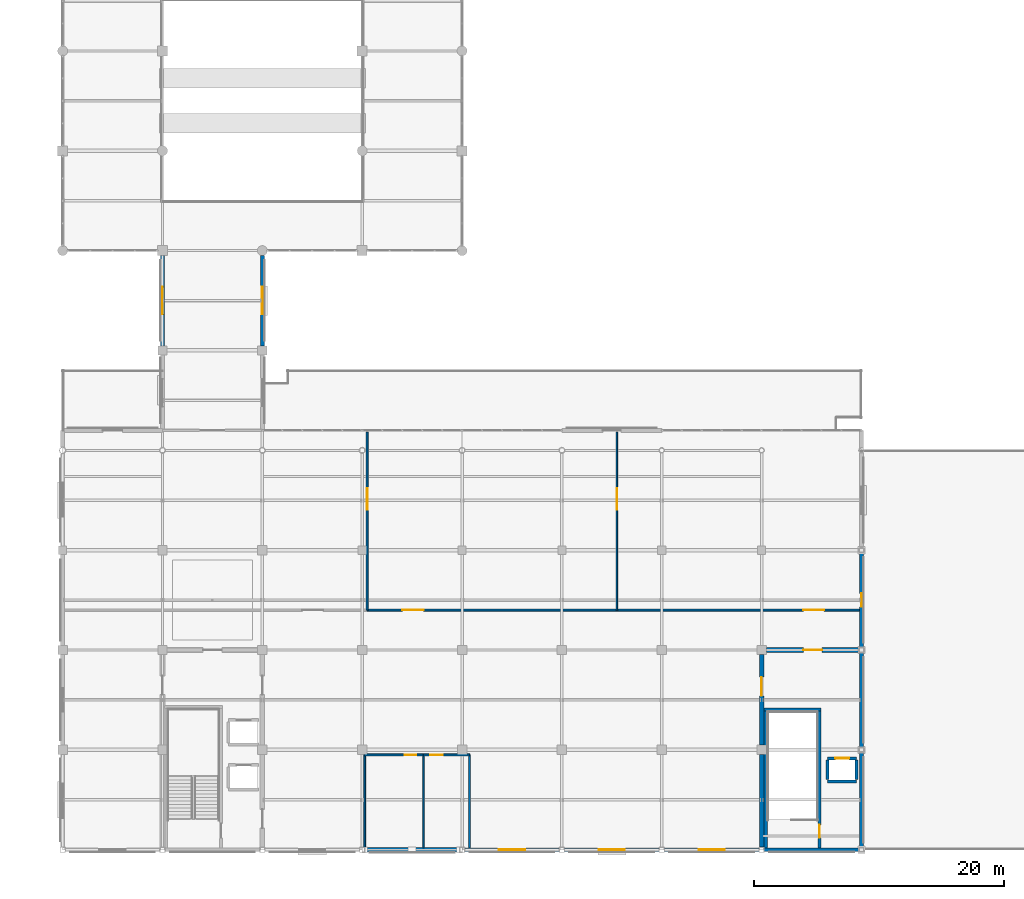
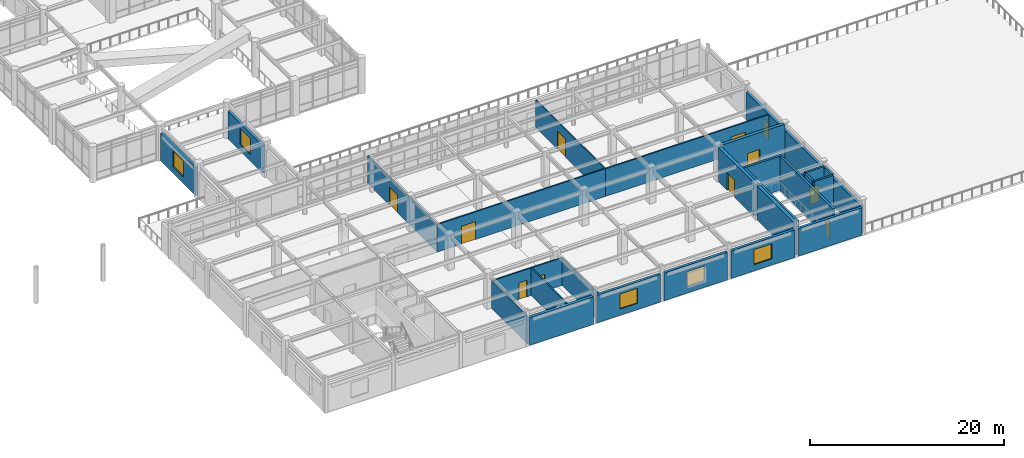
# One storey, part 59 of 93: 29 walls, 11 doors, 5 windows, 16 openings.
"""IFC4 building model written with IfcOpenShell, lengths in metres."""

from ifc_helpers import new_model, si_unit, direction, frame, frame_2d, origin, place, context, subcontext, project, spatial, rectangle, extrude, material, layer, layer_set, type_object, element, fill, save


model = new_model("IFC4")

# Units and contexts
model_context = context("Model", 3, precision=1e-05, world=origin(), true_north=direction((0.0, 1.0)))
body_context = subcontext(model_context, "Body", "Model", "MODEL_VIEW")
ifc_project = project(units=[si_unit("LENGTHUNIT", "METRE"), si_unit("AREAUNIT", "SQUARE_METRE"), si_unit("VOLUMEUNIT", "CUBIC_METRE"), si_unit("PLANEANGLEUNIT", "RADIAN"), si_unit("MASSUNIT", "GRAM", prefix="KILO")], contexts=[model_context])

# Site, building, storey
site_placement = place(None, origin())
site = spatial("IfcSite", under=ifc_project, at=site_placement, CompositionType="ELEMENT")
building_placement = place(site_placement, origin())
building = spatial("IfcBuilding", under=site, at=building_placement, Name="Solmirada Galleria", CompositionType="ELEMENT")
storey_placement = place(building_placement, frame((0.0, 0.0, 14.89990234375)))
storey = spatial("IfcBuildingStorey", under=building, at=storey_placement, Name="L03", CompositionType="ELEMENT", Elevation=14.89990234375)

# Wall, opening, door
ifc_material_1 = material(Name="Concrete C40/50", Category="concrete")
ifc_layer_1 = layer(ifc_material_1, 0.3798828125)
ifc_layer_set_1 = layer_set([ifc_layer_1], Name="Concrete C40/50")
wall_type_1 = type_object("IfcWallType", Name="WL-CORE-380", PredefinedType="SHEAR", material=ifc_layer_set_1)
wall_1_placement = place(storey_placement, frame((136.375, 16.0, 0.0), z_axis=(0.0, 0.0, 1.0), x_axis=(1.0, 0.0, 0.0)))
wall_1 = element("IfcWall", 1, at=wall_1_placement, inside=storey, type_object=wall_type_1, Name="Core C6 shear wall L03 N1", PredefinedType="SHEAR", context=body_context, shape_type="SweptSolid", body=[
    extrude(rectangle(XDim=7.447021484375, YDim=0.3798828125, at=frame_2d((3.7236328125, 0.0))), origin(), (0.0, 0.0, 1.0), 4.280029296875),
])
opening_1_placement = place(wall_1_placement, frame((2.97412109375, 0.0, 0.0)))
opening_1 = element("IfcOpeningElement", 2, at=opening_1_placement, cuts=wall_1, Name="Opening LDY-256", PredefinedType="OPENING", context=body_context, shape_type="SweptSolid", body=[
    extrude(rectangle(XDim=1.5, YDim=2.14990234375, at=frame_2d((0.75, 1.074951171875))), frame((0.0, 0.199951171875, 0.0), z_axis=(0.0, -1.0, 0.0), x_axis=(1.0, 0.0, 0.0)), (0.0, 0.0, 1.0), 0.39990234375),
])
ifc_material_2 = material(Name="Fire-rated painted steel door assembly", Category="steel")
door_type_1 = type_object("IfcDoorType", Name="DR-LOBBY-150X215", OperationType="DOUBLE_DOOR_SINGLE_SWING", PredefinedType="DOOR", material=ifc_material_2)
door_1_placement = place(opening_1_placement, origin())
door_1 = element("IfcDoor", 3, at=door_1_placement, inside=storey, type_object=door_type_1, Name="Core C6 lobby access fire door LDY-256", OperationType="DOUBLE_DOOR_SINGLE_SWING", OverallHeight=2.14990234375, OverallWidth=1.5, PredefinedType="DOOR", context=body_context, shape_type="SweptSolid", body=[
    extrude(rectangle(XDim=1.5, YDim=2.14990234375, at=frame_2d((0.75, 1.074951171875))), frame((0.0, 0.02490234375, 0.0), z_axis=(0.0, -1.0, 0.0), x_axis=(1.0, 0.0, 0.0)), (0.0, 0.0, 1.0), 0.050048828125),
])
fill(opening_1, door_1)

# Wall
wall_2_placement = place(storey_placement, frame((136.0, 0.202880859375, 0.0), z_axis=(0.0, 0.0, 1.0), x_axis=(0.0, 1.0, 0.0)))
element("IfcWall", 4, at=wall_2_placement, inside=storey, type_object=wall_type_1, Name="Core C6 shear wall L03 W1", PredefinedType="SHEAR", context=body_context, shape_type="SweptSolid", body=[
    extrude(rectangle(XDim=7.422119140625, YDim=0.3798828125, at=frame_2d((3.7109375, 0.0))), origin(), (0.0, 0.0, 1.0), 4.280029296875),
])

# Wall, opening, door
wall_3_placement = place(storey_placement, frame((136.0, 8.375, 0.0), z_axis=(0.0, 0.0, 1.0), x_axis=(0.0, 1.0, 0.0)))
wall_3 = element("IfcWall", 5, at=wall_3_placement, inside=storey, type_object=wall_type_1, Name="Core C6 shear wall L03 W2", PredefinedType="SHEAR", context=body_context, shape_type="SweptSolid", body=[
    extrude(rectangle(XDim=7.25, YDim=0.3798828125, at=frame_2d((3.625, 0.0))), origin(), (0.0, 0.0, 1.0), 4.280029296875),
])
opening_2_placement = place(wall_3_placement, frame((3.962890625, 0.0, 0.0)))
opening_2 = element("IfcOpeningElement", 6, at=opening_2_placement, cuts=wall_3, Name="Opening LDY-257", PredefinedType="OPENING", context=body_context, shape_type="SweptSolid", body=[
    extrude(rectangle(XDim=1.5, YDim=2.14990234375, at=frame_2d((0.75, 1.074951171875))), frame((0.0, 0.199951171875, 0.0), z_axis=(0.0, -1.0, 0.0), x_axis=(1.0, 0.0, 0.0)), (0.0, 0.0, 1.0), 0.39990234375),
])
door_2_placement = place(opening_2_placement, origin())
door_2 = element("IfcDoor", 7, at=door_2_placement, inside=storey, type_object=door_type_1, Name="Core C6 lobby access fire door LDY-257", OperationType="DOUBLE_DOOR_SINGLE_SWING", OverallHeight=2.14990234375, OverallWidth=1.5, PredefinedType="DOOR", context=body_context, shape_type="SweptSolid", body=[
    extrude(rectangle(XDim=1.5, YDim=2.14990234375, at=frame_2d((0.75, 1.074951171875))), frame((0.0, 0.02490234375, 0.0), z_axis=(0.0, -1.0, 0.0), x_axis=(1.0, 0.0, 0.0)), (0.0, 0.0, 1.0), 0.050048828125),
])
fill(opening_2, door_2)

# Wall, opening, window
ifc_material_3 = material(Name="Precast concrete C40/50", Category="concrete")
ifc_layer_2 = layer(ifc_material_3, 0.31005859375)
ifc_layer_set_2 = layer_set([ifc_layer_2], Name="Precast concrete C40/50")
wall_type_2 = type_object("IfcWallType", Name="WL-EXT-310", PredefinedType="STANDARD", material=ifc_layer_set_2)
wall_4_placement = place(storey_placement, frame((88.0, 40.375, 0.0), z_axis=(0.0, 0.0, 1.0), x_axis=(0.0, 1.0, 0.0)))
wall_4 = element("IfcWall", 8, at=wall_4_placement, inside=storey, type_object=wall_type_2, Name="Exterior wall L03 bay 002", PredefinedType="STANDARD", context=body_context, shape_type="SweptSolid", body=[
    extrude(rectangle(XDim=7.22509765625, YDim=0.31005859375, at=frame_2d((3.612548828125, 0.0))), origin(), (0.0, 0.0, 1.0), 3.47998046875),
])
opening_3_placement = place(wall_4_placement, frame((2.512939453125, 0.0, 0.800048828125)))
opening_3 = element("IfcOpeningElement", 9, at=opening_3_placement, cuts=wall_4, Name="Opening WN3", PredefinedType="OPENING", context=body_context, shape_type="SweptSolid", body=[
    extrude(rectangle(XDim=2.199951171875, YDim=2.050048828125, at=frame_2d((1.10009765625, 1.02490234375))), frame((0.0, 0.1650390625, 0.0), z_axis=(0.0, -1.0, 0.0), x_axis=(1.0, 0.0, 0.0)), (0.0, 0.0, 1.0), 0.330078125),
])
ifc_material_4 = material(Name="Impact-resistant low-E double glazing", Category="glass")
window_type_1 = type_object("IfcWindowType", Name="WIN-AVE-220X205", PartitioningType="DOUBLE_PANEL_VERTICAL", PredefinedType="WINDOW", material=ifc_material_4)
window_1_placement = place(opening_3_placement, origin())
window_1 = element("IfcWindow", 10, at=window_1_placement, inside=storey, type_object=window_type_1, Name="Window L03-069", OverallHeight=2.050048828125, OverallWidth=2.199951171875, PartitioningType="DOUBLE_PANEL_VERTICAL", PredefinedType="WINDOW", context=body_context, shape_type="SweptSolid", body=[
    extrude(rectangle(XDim=2.199951171875, YDim=2.050048828125, at=frame_2d((1.10009765625, 1.02490234375))), frame((0.0, 0.030029296875, 0.0), z_axis=(0.0, -1.0, 0.0), x_axis=(1.0, 0.0, 0.0)), (0.0, 0.0, 1.0), 0.06005859375),
])
fill(opening_3, window_1)

wall_5_placement = place(storey_placement, frame((96.0, 47.60009765625, 0.0), z_axis=(0.0, 0.0, 1.0), x_axis=(0.0, -1.0, 0.0)))
wall_5 = element("IfcWall", 11, at=wall_5_placement, inside=storey, type_object=wall_type_2, Name="Exterior wall L03 bay 046", PredefinedType="STANDARD", context=body_context, shape_type="SweptSolid", body=[
    extrude(rectangle(XDim=7.22509765625, YDim=0.31005859375, at=frame_2d((3.612548828125, 0.0))), origin(), (0.0, 0.0, 1.0), 3.47998046875),
])
opening_4_placement = place(wall_5_placement, frame((2.512939453125, 0.0, 0.800048828125)))
opening_4 = element("IfcOpeningElement", 12, at=opening_4_placement, cuts=wall_5, Name="Opening WN3", PredefinedType="OPENING", context=body_context, shape_type="SweptSolid", body=[
    extrude(rectangle(XDim=2.199951171875, YDim=2.050048828125, at=frame_2d((1.10009765625, 1.02490234375))), frame((0.0, 0.1650390625, 0.0), z_axis=(0.0, -1.0, 0.0), x_axis=(1.0, 0.0, 0.0)), (0.0, 0.0, 1.0), 0.330078125),
])
window_2_placement = place(opening_4_placement, origin())
window_2 = element("IfcWindow", 13, at=window_2_placement, inside=storey, type_object=window_type_1, Name="Window L03-086", OverallHeight=2.050048828125, OverallWidth=2.199951171875, PartitioningType="DOUBLE_PANEL_VERTICAL", PredefinedType="WINDOW", context=body_context, shape_type="SweptSolid", body=[
    extrude(rectangle(XDim=2.199951171875, YDim=2.050048828125, at=frame_2d((1.10009765625, 1.02490234375))), frame((0.0, 0.030029296875, 0.0), z_axis=(0.0, -1.0, 0.0), x_axis=(1.0, 0.0, 0.0)), (0.0, 0.0, 1.0), 0.06005859375),
])
fill(opening_4, window_2)

# Wall, opening, door
wall_6_placement = place(storey_placement, frame((144.0, 23.822021484375, 0.0), z_axis=(0.0, 0.0, 1.0), x_axis=(0.0, -1.0, 0.0)))
wall_6 = element("IfcWall", 14, at=wall_6_placement, inside=storey, type_object=wall_type_2, Name="Exterior wall L03 bay 056", PredefinedType="STANDARD", context=body_context, shape_type="SweptSolid", body=[
    extrude(rectangle(XDim=7.64404296875, YDim=0.31005859375, at=frame_2d((3.822021484375, 0.0))), origin(), (0.0, 0.0, 1.0), 3.47998046875),
])
opening_5_placement = place(wall_6_placement, frame((3.27197265625, 0.0, 0.0)))
opening_5 = element("IfcOpeningElement", 15, at=opening_5_placement, cuts=wall_6, Name="Opening TD-068", PredefinedType="OPENING", context=body_context, shape_type="SweptSolid", body=[
    extrude(rectangle(XDim=1.10009765625, YDim=2.14990234375, at=frame_2d((0.550048828125, 1.074951171875))), frame((0.0, 0.1650390625, 0.0), z_axis=(0.0, -1.0, 0.0), x_axis=(1.0, 0.0, 0.0)), (0.0, 0.0, 1.0), 0.330078125),
])
ifc_material_5 = material(Name="Thermally broken aluminium and laminated glass door", Category="aluminium")
door_type_2 = type_object("IfcDoorType", Name="DR-TERR-110X215", OperationType="NOTDEFINED", PredefinedType="DOOR", material=ifc_material_5)
door_3_placement = place(opening_5_placement, origin())
door_3 = element("IfcDoor", 16, at=door_3_placement, inside=storey, type_object=door_type_2, Name="Planted terrace access door TD-068", OperationType="SINGLE_SWING_RIGHT", OverallHeight=2.14990234375, OverallWidth=1.10009765625, PredefinedType="DOOR", context=body_context, shape_type="SweptSolid", body=[
    extrude(rectangle(XDim=1.10009765625, YDim=2.14990234375, at=frame_2d((0.550048828125, 1.074951171875))), frame((0.0, 0.02490234375, 0.0), z_axis=(0.0, -1.0, 0.0), x_axis=(1.0, 0.0, 0.0)), (0.0, 0.0, 1.0), 0.050048828125),
])
fill(opening_5, door_3)

# Walls
for number, where, z_axis, x_axis, name in (
    (17, (144.0, 15.822021484375, 0.0), (0.0, 0.0, 1.0), (0.0, -1.0, 0.0), "Exterior wall L03 bay 057"),
    (18, (144.0, 7.822021484375, 0.0), (0.0, 0.0, 1.0), (0.0, -1.0, 0.0), "Exterior wall L03 bay 058"),
):
    element("IfcWall", number, at=place(storey_placement, frame(where, z_axis=z_axis, x_axis=x_axis)), inside=storey, type_object=wall_type_2, Name=name, PredefinedType="STANDARD", context=body_context, shape_type="SweptSolid", body=[
        extrude(rectangle(XDim=7.64404296875, YDim=0.31005859375, at=frame_2d((3.822021484375, 0.0))), origin(), (0.0, 0.0, 1.0), 3.47998046875),
    ])
wall_7_placement = place(storey_placement, frame((143.822021484375, 0.0, 0.0), z_axis=(0.0, 0.0, 1.0), x_axis=(-1.0, 0.0, 0.0)))
element("IfcWall", 19, at=wall_7_placement, inside=storey, type_object=wall_type_2, Name="Exterior wall L03 bay 059", PredefinedType="STANDARD", context=body_context, shape_type="SweptSolid", body=[
    extrude(rectangle(XDim=7.619140625, YDim=0.31005859375, at=frame_2d((3.8095703125, 0.0))), origin(), (0.0, 0.0, 1.0), 3.47998046875),
])

# Wall, opening, window
wall_8_placement = place(storey_placement, frame((135.797119140625, 0.0, 0.0), z_axis=(0.0, 0.0, 1.0), x_axis=(-1.0, 0.0, 0.0)))
wall_8 = element("IfcWall", 20, at=wall_8_placement, inside=storey, type_object=wall_type_2, Name="Exterior wall L03 bay 060", PredefinedType="STANDARD", context=body_context, shape_type="SweptSolid", body=[
    extrude(rectangle(XDim=7.59423828125, YDim=0.31005859375, at=frame_2d((3.797119140625, 0.0))), origin(), (0.0, 0.0, 1.0), 3.47998046875),
])
opening_6_placement = place(wall_8_placement, frame((2.7470703125, 0.0, 0.800048828125)))
opening_6 = element("IfcOpeningElement", 21, at=opening_6_placement, cuts=wall_8, Name="Opening WN29", PredefinedType="OPENING", context=body_context, shape_type="SweptSolid", body=[
    extrude(rectangle(XDim=2.10009765625, YDim=1.89990234375, at=frame_2d((1.050048828125, 0.949951171875))), frame((0.0, 0.1650390625, 0.0), z_axis=(0.0, -1.0, 0.0), x_axis=(1.0, 0.0, 0.0)), (0.0, 0.0, 1.0), 0.330078125),
])
window_type_2 = type_object("IfcWindowType", Name="WIN-ATEL-210X190", PartitioningType="DOUBLE_PANEL_VERTICAL", PredefinedType="WINDOW", material=ifc_material_4)
window_3_placement = place(opening_6_placement, origin())
window_3 = element("IfcWindow", 22, at=window_3_placement, inside=storey, type_object=window_type_2, Name="Window L03-089", OverallHeight=1.89990234375, OverallWidth=2.10009765625, PartitioningType="DOUBLE_PANEL_VERTICAL", PredefinedType="WINDOW", context=body_context, shape_type="SweptSolid", body=[
    extrude(rectangle(XDim=2.10009765625, YDim=1.89990234375, at=frame_2d((1.050048828125, 0.949951171875))), frame((0.0, 0.030029296875, 0.0), z_axis=(0.0, -1.0, 0.0), x_axis=(1.0, 0.0, 0.0)), (0.0, 0.0, 1.0), 0.06005859375),
])
fill(opening_6, window_3)

wall_9_placement = place(storey_placement, frame((127.797119140625, 0.0, 0.0), z_axis=(0.0, 0.0, 1.0), x_axis=(-1.0, 0.0, 0.0)))
wall_9 = element("IfcWall", 23, at=wall_9_placement, inside=storey, type_object=wall_type_2, Name="Exterior wall L03 bay 061", PredefinedType="STANDARD", context=body_context, shape_type="SweptSolid", body=[
    extrude(rectangle(XDim=7.59423828125, YDim=0.31005859375, at=frame_2d((3.797119140625, 0.0))), origin(), (0.0, 0.0, 1.0), 3.47998046875),
])
opening_7_placement = place(wall_9_placement, frame((2.7470703125, 0.0, 0.800048828125)))
opening_7 = element("IfcOpeningElement", 24, at=opening_7_placement, cuts=wall_9, Name="Opening WN29", PredefinedType="OPENING", context=body_context, shape_type="SweptSolid", body=[
    extrude(rectangle(XDim=2.10009765625, YDim=1.89990234375, at=frame_2d((1.050048828125, 0.949951171875))), frame((0.0, 0.1650390625, 0.0), z_axis=(0.0, -1.0, 0.0), x_axis=(1.0, 0.0, 0.0)), (0.0, 0.0, 1.0), 0.330078125),
])
window_4_placement = place(opening_7_placement, origin())
window_4 = element("IfcWindow", 25, at=window_4_placement, inside=storey, type_object=window_type_2, Name="Window L03-090", OverallHeight=1.89990234375, OverallWidth=2.10009765625, PartitioningType="DOUBLE_PANEL_VERTICAL", PredefinedType="WINDOW", context=body_context, shape_type="SweptSolid", body=[
    extrude(rectangle(XDim=2.10009765625, YDim=1.89990234375, at=frame_2d((1.050048828125, 0.949951171875))), frame((0.0, 0.030029296875, 0.0), z_axis=(0.0, -1.0, 0.0), x_axis=(1.0, 0.0, 0.0)), (0.0, 0.0, 1.0), 0.06005859375),
])
fill(opening_7, window_4)

wall_10_placement = place(storey_placement, frame((119.797119140625, 0.0, 0.0), z_axis=(0.0, 0.0, 1.0), x_axis=(-1.0, 0.0, 0.0)))
wall_10 = element("IfcWall", 26, at=wall_10_placement, inside=storey, type_object=wall_type_2, Name="Exterior wall L03 bay 062", PredefinedType="STANDARD", context=body_context, shape_type="SweptSolid", body=[
    extrude(rectangle(XDim=7.59423828125, YDim=0.31005859375, at=frame_2d((3.797119140625, 0.0))), origin(), (0.0, 0.0, 1.0), 3.47998046875),
])
opening_8_placement = place(wall_10_placement, frame((2.7470703125, 0.0, 0.800048828125)))
opening_8 = element("IfcOpeningElement", 27, at=opening_8_placement, cuts=wall_10, Name="Opening WN29", PredefinedType="OPENING", context=body_context, shape_type="SweptSolid", body=[
    extrude(rectangle(XDim=2.10009765625, YDim=1.89990234375, at=frame_2d((1.050048828125, 0.949951171875))), frame((0.0, 0.1650390625, 0.0), z_axis=(0.0, -1.0, 0.0), x_axis=(1.0, 0.0, 0.0)), (0.0, 0.0, 1.0), 0.330078125),
])
window_5_placement = place(opening_8_placement, origin())
window_5 = element("IfcWindow", 28, at=window_5_placement, inside=storey, type_object=window_type_2, Name="Window L03-091", OverallHeight=1.89990234375, OverallWidth=2.10009765625, PartitioningType="DOUBLE_PANEL_VERTICAL", PredefinedType="WINDOW", context=body_context, shape_type="SweptSolid", body=[
    extrude(rectangle(XDim=2.10009765625, YDim=1.89990234375, at=frame_2d((1.050048828125, 0.949951171875))), frame((0.0, 0.030029296875, 0.0), z_axis=(0.0, -1.0, 0.0), x_axis=(1.0, 0.0, 0.0)), (0.0, 0.0, 1.0), 0.06005859375),
])
fill(opening_8, window_5)

# Wall, opening, door
ifc_layer_3 = layer(ifc_material_1, 0.239990234375)
ifc_layer_set_3 = layer_set([ifc_layer_3], Name="Concrete C40/50")
wall_type_3 = type_object("IfcWallType", Name="WL-HOIST-240", PredefinedType="PARTITIONING", material=ifc_layer_set_3)
wall_11_placement = place(storey_placement, frame((141.294921875, 7.330078125, 0.0), z_axis=(0.0, 0.0, 1.0), x_axis=(1.0, 0.0, 0.0)))
wall_11 = element("IfcWall", 29, at=wall_11_placement, inside=storey, type_object=wall_type_3, Name="Lift LP6 hoistway front wall L03", PredefinedType="PARTITIONING", context=body_context, shape_type="SweptSolid", body=[
    extrude(rectangle(XDim=2.31005859375, YDim=0.239990234375, at=frame_2d((1.155029296875, 0.0))), origin(), (0.0, 0.0, 1.0), 4.280029296875),
])
opening_9_placement = place(wall_11_placement, frame((0.60498046875, 0.0, 0.0)))
opening_9 = element("IfcOpeningElement", 30, at=opening_9_placement, cuts=wall_11, Name="Opening LD-LP6-L03", PredefinedType="OPENING", context=body_context, shape_type="SweptSolid", body=[
    extrude(rectangle(XDim=1.10009765625, YDim=2.14990234375, at=frame_2d((0.550048828125, 1.074951171875))), frame((0.0, 0.1298828125, 0.0), z_axis=(0.0, -1.0, 0.0), x_axis=(1.0, 0.0, 0.0)), (0.0, 0.0, 1.0), 0.260009765625),
])
ifc_material_6 = material(Name="Brushed stainless-steel sliding landing door", Category="steel")
door_type_3 = type_object("IfcDoorType", Name="DR-LIFT-110X215", OperationType="SLIDING_TO_LEFT", PredefinedType="DOOR", material=ifc_material_6)
door_4_placement = place(opening_9_placement, origin())
door_4 = element("IfcDoor", 31, at=door_4_placement, inside=storey, type_object=door_type_3, Name="Lift LP6 sliding landing door L03", OperationType="SLIDING_TO_LEFT", OverallHeight=2.14990234375, OverallWidth=1.10009765625, PredefinedType="DOOR", context=body_context, shape_type="SweptSolid", body=[
    extrude(rectangle(XDim=1.10009765625, YDim=2.14990234375, at=frame_2d((0.550048828125, 1.074951171875))), frame((0.0, 0.02490234375, 0.0), z_axis=(0.0, -1.0, 0.0), x_axis=(1.0, 0.0, 0.0)), (0.0, 0.0, 1.0), 0.050048828125),
])
fill(opening_9, door_4)

# Walls
wall_12_placement = place(storey_placement, frame((141.294921875, 5.469970703125, 0.0), z_axis=(0.0, 0.0, 1.0), x_axis=(1.0, 0.0, 0.0)))
element("IfcWall", 32, at=wall_12_placement, inside=storey, type_object=wall_type_3, Name="Lift LP6 hoistway rear wall L03", PredefinedType="PARTITIONING", context=body_context, shape_type="SweptSolid", body=[
    extrude(rectangle(XDim=2.31005859375, YDim=0.239990234375, at=frame_2d((1.155029296875, 0.0))), origin(), (0.0, 0.0, 1.0), 4.280029296875),
])
for number, where, z_axis, x_axis, name in (
    (33, (141.294921875, 5.610107421875, 0.0), (0.0, 0.0, 1.0), (0.0, 1.0, 0.0), "Lift LP6 hoistway side wall L L03"),
    (34, (143.60498046875, 5.610107421875, 0.0), (0.0, 0.0, 1.0), (0.0, 1.0, 0.0), "Lift LP6 hoistway side wall R L03"),
):
    element("IfcWall", number, at=place(storey_placement, frame(where, z_axis=z_axis, x_axis=x_axis)), inside=storey, type_object=wall_type_3, Name=name, PredefinedType="PARTITIONING", context=body_context, shape_type="SweptSolid", body=[
        extrude(rectangle(XDim=1.579833984375, YDim=0.239990234375, at=frame_2d((0.7900390625, 0.0))), origin(), (0.0, 0.0, 1.0), 4.280029296875),
    ])
ifc_material_7 = material(Name="Acoustic gypsum board partition")
ifc_layer_4 = layer(ifc_material_7, 0.135009765625)
ifc_layer_set_4 = layer_set([ifc_layer_4], Name="Acoustic gypsum board partition")
wall_type_4 = type_object("IfcWallType", Name="WL-PART-135", PredefinedType="PARTITIONING", material=ifc_layer_set_4)
for number, where, z_axis, x_axis, name in (
    (35, (104.199951171875, 0.14990234375, 0.0), (0.0, 0.0, 1.0), (0.0, 1.0, 0.0), "Partition L03-105 (South WC West)"),
    (36, (108.89990234375, 0.14990234375, 0.0), (0.0, 0.0, 1.0), (0.0, 1.0, 0.0), "Partition L03-106 (South WC Divider)"),
    (37, (112.60009765625, 0.14990234375, 0.0), (0.0, 0.0, 1.0), (0.0, 1.0, 0.0), "Partition L03-107 (South WC East)"),
):
    element("IfcWall", number, at=place(storey_placement, frame(where, z_axis=z_axis, x_axis=x_axis)), inside=storey, type_object=wall_type_4, Name=name, PredefinedType="PARTITIONING", context=body_context, shape_type="SweptSolid", body=[
        extrude(rectangle(XDim=7.4501953125, YDim=0.135009765625, at=frame_2d((3.72509765625, 0.0))), origin(), (0.0, 0.0, 1.0), 3.47998046875),
    ])

# Wall, opening, door
wall_13_placement = place(storey_placement, frame((124.39990234375, 19.199951171875, 0.0), z_axis=(0.0, 0.0, 1.0), x_axis=(0.0, 1.0, 0.0)))
wall_13 = element("IfcWall", 38, at=wall_13_placement, inside=storey, type_object=wall_type_4, Name="Partition L03-112 (South Department E L03)", PredefinedType="PARTITIONING", context=body_context, shape_type="SweptSolid", body=[
    extrude(rectangle(XDim=14.25, YDim=0.135009765625, at=frame_2d((7.125, 0.0))), origin(), (0.0, 0.0, 1.0), 3.47998046875),
])
opening_10_placement = place(wall_13_placement, frame((8.052978515625, 0.0, 0.0)))
opening_10 = element("IfcOpeningElement", 39, at=opening_10_placement, cuts=wall_13, Name="Opening ID-339", PredefinedType="OPENING", context=body_context, shape_type="SweptSolid", body=[
    extrude(rectangle(XDim=1.699951171875, YDim=2.25, at=frame_2d((0.85009765625, 1.125))), frame((0.0, 0.077392578125, 0.0), z_axis=(0.0, -1.0, 0.0), x_axis=(1.0, 0.0, 0.0)), (0.0, 0.0, 1.0), 0.155029296875),
])
ifc_material_8 = material(Name="Architectural hardwood veneer door", Category="wood")
door_type_4 = type_object("IfcDoorType", Name="DR-DEPT-170X225", OperationType="DOUBLE_DOOR_SINGLE_SWING", PredefinedType="DOOR", material=ifc_material_8)
door_5_placement = place(opening_10_placement, origin())
door_5 = element("IfcDoor", 40, at=door_5_placement, inside=storey, type_object=door_type_4, Name="South Department E L03 door ID-339", OperationType="DOUBLE_DOOR_SINGLE_SWING", OverallHeight=2.25, OverallWidth=1.699951171875, PredefinedType="DOOR", context=body_context, shape_type="SweptSolid", body=[
    extrude(rectangle(XDim=1.699951171875, YDim=2.25, at=frame_2d((0.85009765625, 1.125))), frame((0.0, 0.02490234375, 0.0), z_axis=(0.0, -1.0, 0.0), x_axis=(1.0, 0.0, 0.0)), (0.0, 0.0, 1.0), 0.050048828125),
])
fill(opening_10, door_5)

ifc_layer_5 = layer(ifc_material_7, 0.159912109375)
ifc_layer_set_5 = layer_set([ifc_layer_5], Name="Acoustic gypsum board partition")
wall_type_5 = type_object("IfcWallType", Name="WL-PART-160", PredefinedType="PARTITIONING", material=ifc_layer_set_5)
wall_14_placement = place(storey_placement, frame((104.199951171875, 7.60009765625, 0.0), z_axis=(0.0, 0.0, 1.0), x_axis=(1.0, 0.0, 0.0)))
wall_14 = element("IfcWall", 41, at=wall_14_placement, inside=storey, type_object=wall_type_5, Name="Partition L03-103 (South Restroom)", PredefinedType="PARTITIONING", context=body_context, shape_type="SweptSolid", body=[
    extrude(rectangle(XDim=4.699951171875, YDim=0.159912109375, at=frame_2d((2.35009765625, 0.0))), origin(), (0.0, 0.0, 1.0), 3.47998046875),
])
opening_11_placement = place(wall_14_placement, frame((3.193115234375, 0.0, 0.0)))
opening_11 = element("IfcOpeningElement", 42, at=opening_11_placement, cuts=wall_14, Name="Opening ID-333", PredefinedType="OPENING", context=body_context, shape_type="SweptSolid", body=[
    extrude(rectangle(XDim=0.919921875, YDim=2.10009765625, at=frame_2d((0.4599609375, 1.050048828125))), frame((0.0, 0.08984375, 0.0), z_axis=(0.0, -1.0, 0.0), x_axis=(1.0, 0.0, 0.0)), (0.0, 0.0, 1.0), 0.179931640625),
])
door_type_5 = type_object("IfcDoorType", Name="DR-WC-092X210", OperationType="NOTDEFINED", PredefinedType="DOOR", material=ifc_material_8)
door_6_placement = place(opening_11_placement, origin())
door_6 = element("IfcDoor", 43, at=door_6_placement, inside=storey, type_object=door_type_5, Name="South Restroom door ID-333", OperationType="SINGLE_SWING_LEFT", OverallHeight=2.10009765625, OverallWidth=0.919921875, PredefinedType="DOOR", context=body_context, shape_type="SweptSolid", body=[
    extrude(rectangle(XDim=0.919921875, YDim=2.10009765625, at=frame_2d((0.4599609375, 1.050048828125))), frame((0.0, 0.02490234375, 0.0), z_axis=(0.0, -1.0, 0.0), x_axis=(1.0, 0.0, 0.0)), (0.0, 0.0, 1.0), 0.050048828125),
])
fill(opening_11, door_6)

wall_15_placement = place(storey_placement, frame((108.89990234375, 7.60009765625, 0.0), z_axis=(0.0, 0.0, 1.0), x_axis=(1.0, 0.0, 0.0)))
wall_15 = element("IfcWall", 44, at=wall_15_placement, inside=storey, type_object=wall_type_5, Name="Partition L03-104 (South Accessible WC)", PredefinedType="PARTITIONING", context=body_context, shape_type="SweptSolid", body=[
    extrude(rectangle(XDim=3.7001953125, YDim=0.159912109375, at=frame_2d((1.85009765625, 0.0))), origin(), (0.0, 0.0, 1.0), 3.47998046875),
])
opening_12_placement = place(wall_15_placement, frame((0.548095703125, 0.0, 0.0)))
opening_12 = element("IfcOpeningElement", 45, at=opening_12_placement, cuts=wall_15, Name="Opening ID-334", PredefinedType="OPENING", context=body_context, shape_type="SweptSolid", body=[
    extrude(rectangle(XDim=1.02001953125, YDim=2.10009765625, at=frame_2d((0.510009765625, 1.050048828125))), frame((0.0, 0.08984375, 0.0), z_axis=(0.0, -1.0, 0.0), x_axis=(1.0, 0.0, 0.0)), (0.0, 0.0, 1.0), 0.179931640625),
])
door_type_6 = type_object("IfcDoorType", Name="DR-AWC-102X210", OperationType="NOTDEFINED", PredefinedType="DOOR", material=ifc_material_8)
door_7_placement = place(opening_12_placement, origin())
door_7 = element("IfcDoor", 46, at=door_7_placement, inside=storey, type_object=door_type_6, Name="South Accessible WC door ID-334", OperationType="SINGLE_SWING_RIGHT", OverallHeight=2.10009765625, OverallWidth=1.02001953125, PredefinedType="DOOR", context=body_context, shape_type="SweptSolid", body=[
    extrude(rectangle(XDim=1.02001953125, YDim=2.10009765625, at=frame_2d((0.510009765625, 1.050048828125))), frame((0.0, 0.02490234375, 0.0), z_axis=(0.0, -1.0, 0.0), x_axis=(1.0, 0.0, 0.0)), (0.0, 0.0, 1.0), 0.050048828125),
])
fill(opening_12, door_7)

wall_16_placement = place(storey_placement, frame((104.39990234375, 19.199951171875, 0.0), z_axis=(0.0, 0.0, 1.0), x_axis=(1.0, 0.0, 0.0)))
wall_16 = element("IfcWall", 47, at=wall_16_placement, inside=storey, type_object=wall_type_5, Name="Partition L03-109 (South Gallery C L03)", PredefinedType="PARTITIONING", context=body_context, shape_type="SweptSolid", body=[
    extrude(rectangle(XDim=20.0, YDim=0.159912109375, at=frame_2d((10.0, 0.0))), origin(), (0.0, 0.0, 1.0), 3.47998046875),
])
opening_13_placement = place(wall_16_placement, frame((2.820068359375, 0.0, 0.0)))
opening_13 = element("IfcOpeningElement", 48, at=opening_13_placement, cuts=wall_16, Name="Opening ID-336", PredefinedType="OPENING", context=body_context, shape_type="SweptSolid", body=[
    extrude(rectangle(XDim=1.699951171875, YDim=2.25, at=frame_2d((0.85009765625, 1.125))), frame((0.0, 0.08984375, 0.0), z_axis=(0.0, -1.0, 0.0), x_axis=(1.0, 0.0, 0.0)), (0.0, 0.0, 1.0), 0.179931640625),
])
door_8_placement = place(opening_13_placement, origin())
door_8 = element("IfcDoor", 49, at=door_8_placement, inside=storey, type_object=door_type_4, Name="South Gallery C L03 door ID-336", OperationType="DOUBLE_DOOR_SINGLE_SWING", OverallHeight=2.25, OverallWidth=1.699951171875, PredefinedType="DOOR", context=body_context, shape_type="SweptSolid", body=[
    extrude(rectangle(XDim=1.699951171875, YDim=2.25, at=frame_2d((0.85009765625, 1.125))), frame((0.0, 0.02490234375, 0.0), z_axis=(0.0, -1.0, 0.0), x_axis=(1.0, 0.0, 0.0)), (0.0, 0.0, 1.0), 0.050048828125),
])
fill(opening_13, door_8)

wall_17_placement = place(storey_placement, frame((124.39990234375, 19.199951171875, 0.0), z_axis=(0.0, 0.0, 1.0), x_axis=(1.0, 0.0, 0.0)))
wall_17 = element("IfcWall", 50, at=wall_17_placement, inside=storey, type_object=wall_type_5, Name="Partition L03-110 (South Gallery E L03)", PredefinedType="PARTITIONING", context=body_context, shape_type="SweptSolid", body=[
    extrude(rectangle(XDim=19.4501953125, YDim=0.159912109375, at=frame_2d((9.72509765625, 0.0))), origin(), (0.0, 0.0, 1.0), 3.47998046875),
])
opening_14_placement = place(wall_17_placement, frame((14.919921875, 0.0, 0.0)))
opening_14 = element("IfcOpeningElement", 51, at=opening_14_placement, cuts=wall_17, Name="Opening ID-337", PredefinedType="OPENING", context=body_context, shape_type="SweptSolid", body=[
    extrude(rectangle(XDim=1.699951171875, YDim=2.25, at=frame_2d((0.85009765625, 1.125))), frame((0.0, 0.08984375, 0.0), z_axis=(0.0, -1.0, 0.0), x_axis=(1.0, 0.0, 0.0)), (0.0, 0.0, 1.0), 0.179931640625),
])
door_9_placement = place(opening_14_placement, origin())
door_9 = element("IfcDoor", 52, at=door_9_placement, inside=storey, type_object=door_type_4, Name="South Gallery E L03 door ID-337", OperationType="DOUBLE_DOOR_SINGLE_SWING", OverallHeight=2.25, OverallWidth=1.699951171875, PredefinedType="DOOR", context=body_context, shape_type="SweptSolid", body=[
    extrude(rectangle(XDim=1.699951171875, YDim=2.25, at=frame_2d((0.85009765625, 1.125))), frame((0.0, 0.02490234375, 0.0), z_axis=(0.0, -1.0, 0.0), x_axis=(1.0, 0.0, 0.0)), (0.0, 0.0, 1.0), 0.050048828125),
])
fill(opening_14, door_9)

wall_18_placement = place(storey_placement, frame((104.39990234375, 19.199951171875, 0.0), z_axis=(0.0, 0.0, 1.0), x_axis=(0.0, 1.0, 0.0)))
wall_18 = element("IfcWall", 53, at=wall_18_placement, inside=storey, type_object=wall_type_5, Name="Partition L03-111 (South Department W L03)", PredefinedType="PARTITIONING", context=body_context, shape_type="SweptSolid", body=[
    extrude(rectangle(XDim=14.25, YDim=0.159912109375, at=frame_2d((7.125, 0.0))), origin(), (0.0, 0.0, 1.0), 3.47998046875),
])
opening_15_placement = place(wall_18_placement, frame((8.052978515625, 0.0, 0.0)))
opening_15 = element("IfcOpeningElement", 54, at=opening_15_placement, cuts=wall_18, Name="Opening ID-338", PredefinedType="OPENING", context=body_context, shape_type="SweptSolid", body=[
    extrude(rectangle(XDim=1.699951171875, YDim=2.25, at=frame_2d((0.85009765625, 1.125))), frame((0.0, 0.08984375, 0.0), z_axis=(0.0, -1.0, 0.0), x_axis=(1.0, 0.0, 0.0)), (0.0, 0.0, 1.0), 0.179931640625),
])
door_10_placement = place(opening_15_placement, origin())
door_10 = element("IfcDoor", 55, at=door_10_placement, inside=storey, type_object=door_type_4, Name="South Department W L03 door ID-338", OperationType="DOUBLE_DOOR_SINGLE_SWING", OverallHeight=2.25, OverallWidth=1.699951171875, PredefinedType="DOOR", context=body_context, shape_type="SweptSolid", body=[
    extrude(rectangle(XDim=1.699951171875, YDim=2.25, at=frame_2d((0.85009765625, 1.125))), frame((0.0, 0.02490234375, 0.0), z_axis=(0.0, -1.0, 0.0), x_axis=(1.0, 0.0, 0.0)), (0.0, 0.0, 1.0), 0.050048828125),
])
fill(opening_15, door_10)

# Walls
ifc_layer_6 = layer(ifc_material_1, 0.260009765625)
ifc_layer_set_6 = layer_set([ifc_layer_6], Name="Concrete C40/50")
wall_type_6 = type_object("IfcWallType", Name="WL-SHAFT-260", PredefinedType="SHEAR", material=ifc_layer_set_6)
wall_19_placement = place(storey_placement, frame((136.18994140625, 11.22998046875, 0.0), z_axis=(0.0, 0.0, 1.0), x_axis=(1.0, 0.0, 0.0)))
element("IfcWall", 56, at=wall_19_placement, inside=storey, type_object=wall_type_6, Name="Stair ST6 enclosure wall L03 N", PredefinedType="SHEAR", context=body_context, shape_type="SweptSolid", body=[
    extrude(rectangle(XDim=4.570068359375, YDim=0.260009765625, at=frame_2d((2.28515625, 0.0))), origin(), (0.0, 0.0, 1.0), 4.280029296875),
])
wall_20_placement = place(storey_placement, frame((136.320068359375, 0.14501953125, 0.0), z_axis=(0.0, 0.0, 1.0), x_axis=(0.0, 1.0, 0.0)))
element("IfcWall", 57, at=wall_20_placement, inside=storey, type_object=wall_type_6, Name="Stair ST6 enclosure wall L03 W", PredefinedType="SHEAR", context=body_context, shape_type="SweptSolid", body=[
    extrude(rectangle(XDim=10.955078125, YDim=0.260009765625, at=frame_2d((5.4775390625, 0.0))), origin(), (0.0, 0.0, 1.0), 4.280029296875),
])

# Wall, opening, door
wall_21_placement = place(storey_placement, frame((140.6298828125, 0.14501953125, 0.0), z_axis=(0.0, 0.0, 1.0), x_axis=(0.0, 1.0, 0.0)))
wall_21 = element("IfcWall", 58, at=wall_21_placement, inside=storey, type_object=wall_type_6, Name="Stair ST6 enclosure wall L03 E", PredefinedType="SHEAR", context=body_context, shape_type="SweptSolid", body=[
    extrude(rectangle(XDim=10.955078125, YDim=0.260009765625, at=frame_2d((5.4775390625, 0.0))), origin(), (0.0, 0.0, 1.0), 4.280029296875),
])
opening_16_placement = place(wall_21_placement, frame((0.804931640625, 0.0, 0.0)))
opening_16 = element("IfcOpeningElement", 59, at=opening_16_placement, cuts=wall_21, Name="Opening SD-255", PredefinedType="OPENING", context=body_context, shape_type="SweptSolid", body=[
    extrude(rectangle(XDim=1.050048828125, YDim=2.14990234375, at=frame_2d((0.52490234375, 1.074951171875))), frame((0.0, 0.139892578125, 0.0), z_axis=(0.0, -1.0, 0.0), x_axis=(1.0, 0.0, 0.0)), (0.0, 0.0, 1.0), 0.280029296875),
])
door_type_7 = type_object("IfcDoorType", Name="DR-STAIR-105X215", OperationType="NOTDEFINED", PredefinedType="DOOR", material=ifc_material_2)
door_11_placement = place(opening_16_placement, origin())
door_11 = element("IfcDoor", 60, at=door_11_placement, inside=storey, type_object=door_type_7, Name="Exit stair ST6 enclosure fire door SD-255", OperationType="SINGLE_SWING_RIGHT", OverallHeight=2.14990234375, OverallWidth=1.050048828125, PredefinedType="DOOR", context=body_context, shape_type="SweptSolid", body=[
    extrude(rectangle(XDim=1.050048828125, YDim=2.14990234375, at=frame_2d((0.52490234375, 1.074951171875))), frame((0.0, 0.02490234375, 0.0), z_axis=(0.0, -1.0, 0.0), x_axis=(1.0, 0.0, 0.0)), (0.0, 0.0, 1.0), 0.050048828125),
])
fill(opening_16, door_11)

# Wall
ifc_material_9 = material(Name="Architectural concrete masonry C30/37", Category="masonry")
ifc_layer_7 = layer(ifc_material_9, 0.360107421875)
ifc_layer_set_7 = layer_set([ifc_layer_7], Name="Architectural concrete masonry C30/37")
wall_type_7 = type_object("IfcWallType", Name="WL-SOLID-360", PredefinedType="SOLIDWALL", material=ifc_layer_set_7)
wall_22_placement = place(storey_placement, frame((111.797119140625, 0.0, 0.0), z_axis=(0.0, 0.0, 1.0), x_axis=(-1.0, 0.0, 0.0)))
element("IfcWall", 61, at=wall_22_placement, inside=storey, type_object=wall_type_7, Name="Exterior wall L03 bay 063", PredefinedType="SOLIDWALL", context=body_context, shape_type="SweptSolid", body=[
    extrude(rectangle(XDim=7.59423828125, YDim=0.360107421875, at=frame_2d((3.797119140625, 0.0))), origin(), (0.0, 0.0, 1.0), 3.47998046875),
])

save(model, "model.ifc")
